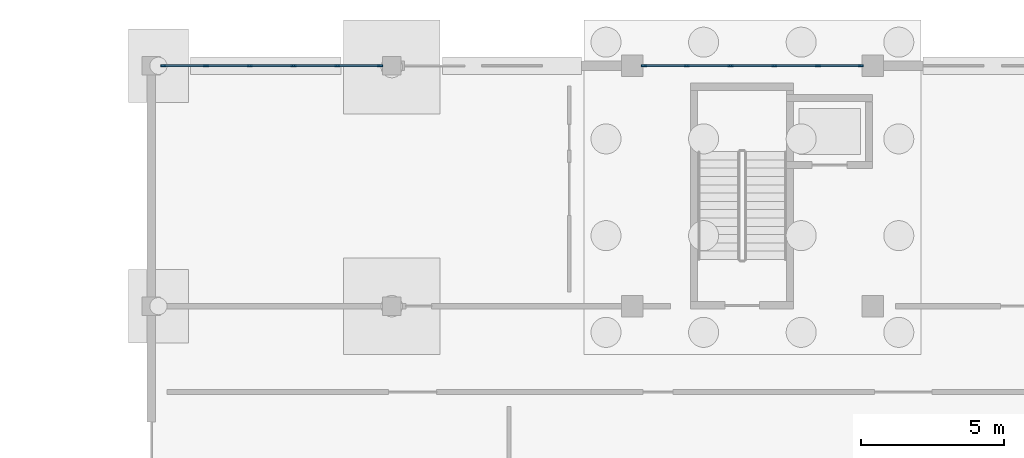
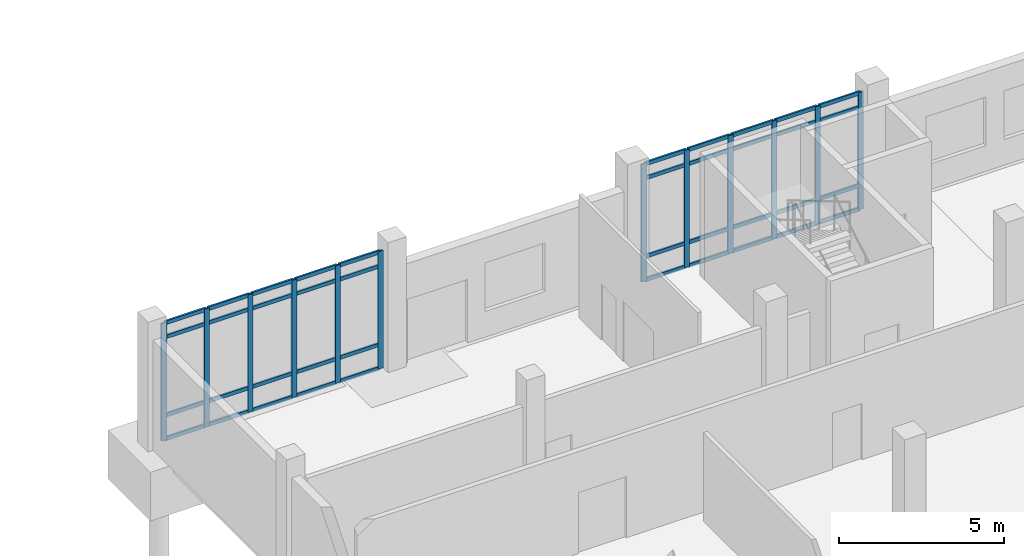
# One storey, part 19 of 72: 52 members, 2 elements without a shape of their own.
"""IFC4 building model written with IfcOpenShell, lengths in metres."""

from ifc_helpers import new_model, si_unit, direction, frame, origin, origin_2d, place, context, subcontext, project, spatial, rectangle, extrude, material, material_profile, profile_set, type_object, element, aggregate, save


model = new_model("IFC4")

# Units and contexts
model_context = context("Model", 3, precision=1e-05, world=origin(), true_north=direction((0.0, 1.0)))
body_context = subcontext(model_context, "Body", "Model", "MODEL_VIEW")
ifc_project = project(units=[si_unit("LENGTHUNIT", "METRE"), si_unit("AREAUNIT", "SQUARE_METRE"), si_unit("VOLUMEUNIT", "CUBIC_METRE"), si_unit("PLANEANGLEUNIT", "RADIAN"), si_unit("MASSUNIT", "GRAM", prefix="KILO")], contexts=[model_context])

# Site, building, storey
site_placement = place(None, origin())
site = spatial("IfcSite", under=ifc_project, at=site_placement, CompositionType="ELEMENT")
building_placement = place(site_placement, origin())
building = spatial("IfcBuilding", under=site, at=building_placement, Name="Cinderway Yard Community Centre", CompositionType="ELEMENT")
storey_placement = place(building_placement, origin())
storey = spatial("IfcBuildingStorey", under=building, at=storey_placement, Name="L00", CompositionType="ELEMENT", Elevation=0.0)

# Curtain wall, members
ifc_material = material(Name="Aluminium 6063-T6", Category="aluminium")
curtain_wall_type = type_object("IfcCurtainWallType", Name="ENV-CW-TYPE-24", PredefinedType="USERDEFINED", material=ifc_material)
curtain_wall_1_placement = place(storey_placement, origin())
curtain_wall_1 = element("IfcCurtainWall", 1, at=curtain_wall_1_placement, inside=storey, type_object=curtain_wall_type, Name="V4 Street Curtain Wall ENV-CW-L00-HS-0108", ObjectType="GLAZED CURTAIN WALL", PredefinedType="USERDEFINED")
ifc_material_profile_1 = material_profile(ifc_material, rectangle(XDim=0.06494140625, YDim=0.179931640625, at=origin_2d()), Name="Aluminium 6063-T6")
ifc_profile_set_1 = profile_set([ifc_material_profile_1], Name="Aluminium 6063-T6")
member_type_1 = type_object("IfcMemberType", Name="ENV-CW-MULL-180", PredefinedType="MULLION", material=ifc_profile_set_1)
member_1_placement = place(storey_placement, frame((42.010009765625, 115.199951171875, 0.0), z_axis=(0.0, 0.0, 1.0), x_axis=(0.0, 1.0, 0.0)))
member_1 = element("IfcMember", 2, at=member_1_placement, type_object=member_type_1, Name="CW-24 mullion 1", PredefinedType="MULLION", context=body_context, shape_type="SweptSolid", body=[
    extrude(rectangle(XDim=0.06494140625, YDim=0.179931640625, at=origin_2d()), origin(), (0.0, 0.0, 1.0), 4.35009765625),
])
member_2_placement = place(storey_placement, frame((43.508056640625, 115.199951171875, 0.0), z_axis=(0.0, 0.0, 1.0), x_axis=(0.0, 1.0, 0.0)))
member_2 = element("IfcMember", 3, at=member_2_placement, type_object=member_type_1, Name="CW-24 mullion 2", PredefinedType="MULLION", context=body_context, shape_type="SweptSolid", body=[
    extrude(rectangle(XDim=0.06494140625, YDim=0.179931640625, at=origin_2d()), origin(), (0.0, 0.0, 1.0), 4.35009765625),
])
member_3_placement = place(storey_placement, frame((45.035888671875, 115.199951171875, 0.0), z_axis=(0.0, 0.0, 1.0), x_axis=(0.0, 1.0, 0.0)))
member_3 = element("IfcMember", 4, at=member_3_placement, type_object=member_type_1, Name="CW-24 mullion 3", PredefinedType="MULLION", context=body_context, shape_type="SweptSolid", body=[
    extrude(rectangle(XDim=0.06494140625, YDim=0.179931640625, at=origin_2d()), origin(), (0.0, 0.0, 1.0), 4.35009765625),
])
member_4_placement = place(storey_placement, frame((46.56396484375, 115.199951171875, 0.0), z_axis=(0.0, 0.0, 1.0), x_axis=(0.0, 1.0, 0.0)))
member_4 = element("IfcMember", 5, at=member_4_placement, type_object=member_type_1, Name="CW-24 mullion 4", PredefinedType="MULLION", context=body_context, shape_type="SweptSolid", body=[
    extrude(rectangle(XDim=0.06494140625, YDim=0.179931640625, at=origin_2d()), origin(), (0.0, 0.0, 1.0), 4.35009765625),
])
member_5_placement = place(storey_placement, frame((48.092041015625, 115.199951171875, 0.0), z_axis=(0.0, 0.0, 1.0), x_axis=(0.0, 1.0, 0.0)))
member_5 = element("IfcMember", 6, at=member_5_placement, type_object=member_type_1, Name="CW-24 mullion 5", PredefinedType="MULLION", context=body_context, shape_type="SweptSolid", body=[
    extrude(rectangle(XDim=0.06494140625, YDim=0.179931640625, at=origin_2d()), origin(), (0.0, 0.0, 1.0), 4.35009765625),
])
member_6_placement = place(storey_placement, frame((49.590087890625, 115.199951171875, 0.0), z_axis=(0.0, 0.0, 1.0), x_axis=(0.0, 1.0, 0.0)))
member_6 = element("IfcMember", 7, at=member_6_placement, type_object=member_type_1, Name="CW-24 mullion 6", PredefinedType="MULLION", context=body_context, shape_type="SweptSolid", body=[
    extrude(rectangle(XDim=0.06494140625, YDim=0.179931640625, at=origin_2d()), origin(), (0.0, 0.0, 1.0), 4.35009765625),
])

curtain_wall_2_placement = place(storey_placement, origin())
curtain_wall_2 = element("IfcCurtainWall", 8, at=curtain_wall_2_placement, inside=storey, type_object=curtain_wall_type, Name="V4 Street Curtain Wall ENV-CW-L00-HS-0111", ObjectType="GLAZED CURTAIN WALL", PredefinedType="USERDEFINED")
member_7_placement = place(storey_placement, frame((58.81005859375, 115.199951171875, 0.0), z_axis=(0.0, 0.0, 1.0), x_axis=(0.0, 1.0, 0.0)))
member_7 = element("IfcMember", 9, at=member_7_placement, type_object=member_type_1, Name="CW-24 mullion 1", PredefinedType="MULLION", context=body_context, shape_type="SweptSolid", body=[
    extrude(rectangle(XDim=0.06494140625, YDim=0.179931640625, at=origin_2d()), origin(), (0.0, 0.0, 1.0), 4.35009765625),
])
member_8_placement = place(storey_placement, frame((60.30810546875, 115.199951171875, 0.0), z_axis=(0.0, 0.0, 1.0), x_axis=(0.0, 1.0, 0.0)))
member_8 = element("IfcMember", 10, at=member_8_placement, type_object=member_type_1, Name="CW-24 mullion 2", PredefinedType="MULLION", context=body_context, shape_type="SweptSolid", body=[
    extrude(rectangle(XDim=0.06494140625, YDim=0.179931640625, at=origin_2d()), origin(), (0.0, 0.0, 1.0), 4.35009765625),
])
member_9_placement = place(storey_placement, frame((61.8359375, 115.199951171875, 0.0), z_axis=(0.0, 0.0, 1.0), x_axis=(0.0, 1.0, 0.0)))
member_9 = element("IfcMember", 11, at=member_9_placement, type_object=member_type_1, Name="CW-24 mullion 3", PredefinedType="MULLION", context=body_context, shape_type="SweptSolid", body=[
    extrude(rectangle(XDim=0.06494140625, YDim=0.179931640625, at=origin_2d()), origin(), (0.0, 0.0, 1.0), 4.35009765625),
])
member_10_placement = place(storey_placement, frame((63.364013671875, 115.199951171875, 0.0), z_axis=(0.0, 0.0, 1.0), x_axis=(0.0, 1.0, 0.0)))
member_10 = element("IfcMember", 12, at=member_10_placement, type_object=member_type_1, Name="CW-24 mullion 4", PredefinedType="MULLION", context=body_context, shape_type="SweptSolid", body=[
    extrude(rectangle(XDim=0.06494140625, YDim=0.179931640625, at=origin_2d()), origin(), (0.0, 0.0, 1.0), 4.35009765625),
])
member_11_placement = place(storey_placement, frame((64.89208984375, 115.199951171875, 0.0), z_axis=(0.0, 0.0, 1.0), x_axis=(0.0, 1.0, 0.0)))
member_11 = element("IfcMember", 13, at=member_11_placement, type_object=member_type_1, Name="CW-24 mullion 5", PredefinedType="MULLION", context=body_context, shape_type="SweptSolid", body=[
    extrude(rectangle(XDim=0.06494140625, YDim=0.179931640625, at=origin_2d()), origin(), (0.0, 0.0, 1.0), 4.35009765625),
])
member_12_placement = place(storey_placement, frame((66.389892578125, 115.199951171875, 0.0), z_axis=(0.0, 0.0, 1.0), x_axis=(0.0, 1.0, 0.0)))
member_12 = element("IfcMember", 14, at=member_12_placement, type_object=member_type_1, Name="CW-24 mullion 6", PredefinedType="MULLION", context=body_context, shape_type="SweptSolid", body=[
    extrude(rectangle(XDim=0.06494140625, YDim=0.179931640625, at=origin_2d()), origin(), (0.0, 0.0, 1.0), 4.35009765625),
])

# Member
ifc_material_profile_2 = material_profile(ifc_material, rectangle(XDim=0.06494140625, YDim=0.139892578125, at=origin_2d()), Name="Aluminium 6063-T6")
ifc_profile_set_2 = profile_set([ifc_material_profile_2], Name="Aluminium 6063-T6")
member_type_2 = type_object("IfcMemberType", Name="ENV-CW-TRAN-140", PredefinedType="USERDEFINED", material=ifc_profile_set_2)
member_13_placement = place(storey_placement, frame((42.0400390625, 115.199951171875, 0.030029296875), z_axis=(1.0, 0.0, 0.0), x_axis=(0.0, 1.0, 0.0)))
member_13 = element("IfcMember", 15, at=member_13_placement, type_object=member_type_2, Name="CW-24 transom 1.1", ObjectType="TRANSOM", PredefinedType="USERDEFINED", context=body_context, shape_type="SweptSolid", body=[
    extrude(rectangle(XDim=0.06494140625, YDim=0.139892578125, at=origin_2d()), origin(), (0.0, 0.0, 1.0), 1.43798828125),
])

member_14_placement = place(storey_placement, frame((42.0400390625, 115.199951171875, 0.89990234375), z_axis=(1.0, 0.0, 0.0), x_axis=(0.0, 1.0, 0.0)))
member_14 = element("IfcMember", 16, at=member_14_placement, type_object=member_type_2, Name="CW-24 transom 1.2", ObjectType="TRANSOM", PredefinedType="USERDEFINED", context=body_context, shape_type="SweptSolid", body=[
    extrude(rectangle(XDim=0.06494140625, YDim=0.139892578125, at=origin_2d()), origin(), (0.0, 0.0, 1.0), 1.43798828125),
])

member_15_placement = place(storey_placement, frame((42.0400390625, 115.199951171875, 3.800048828125), z_axis=(1.0, 0.0, 0.0), x_axis=(0.0, 1.0, 0.0)))
member_15 = element("IfcMember", 17, at=member_15_placement, type_object=member_type_2, Name="CW-24 transom 1.3", ObjectType="TRANSOM", PredefinedType="USERDEFINED", context=body_context, shape_type="SweptSolid", body=[
    extrude(rectangle(XDim=0.06494140625, YDim=0.139892578125, at=origin_2d()), origin(), (0.0, 0.0, 1.0), 1.43798828125),
])

member_16_placement = place(storey_placement, frame((42.0400390625, 115.199951171875, 4.320068359375), z_axis=(1.0, 0.0, 0.0), x_axis=(0.0, 1.0, 0.0)))
member_16 = element("IfcMember", 18, at=member_16_placement, type_object=member_type_2, Name="CW-24 transom 1.4", ObjectType="TRANSOM", PredefinedType="USERDEFINED", context=body_context, shape_type="SweptSolid", body=[
    extrude(rectangle(XDim=0.06494140625, YDim=0.139892578125, at=origin_2d()), origin(), (0.0, 0.0, 1.0), 1.43798828125),
])

member_17_placement = place(storey_placement, frame((43.5380859375, 115.199951171875, 0.030029296875), z_axis=(1.0, 0.0, 0.0), x_axis=(0.0, 1.0, 0.0)))
member_17 = element("IfcMember", 19, at=member_17_placement, type_object=member_type_2, Name="CW-24 transom 2.1", ObjectType="TRANSOM", PredefinedType="USERDEFINED", context=body_context, shape_type="SweptSolid", body=[
    extrude(rectangle(XDim=0.06494140625, YDim=0.139892578125, at=origin_2d()), origin(), (0.0, 0.0, 1.0), 1.468017578125),
])

member_18_placement = place(storey_placement, frame((43.5380859375, 115.199951171875, 0.89990234375), z_axis=(1.0, 0.0, 0.0), x_axis=(0.0, 1.0, 0.0)))
member_18 = element("IfcMember", 20, at=member_18_placement, type_object=member_type_2, Name="CW-24 transom 2.2", ObjectType="TRANSOM", PredefinedType="USERDEFINED", context=body_context, shape_type="SweptSolid", body=[
    extrude(rectangle(XDim=0.06494140625, YDim=0.139892578125, at=origin_2d()), origin(), (0.0, 0.0, 1.0), 1.468017578125),
])

member_19_placement = place(storey_placement, frame((43.5380859375, 115.199951171875, 3.800048828125), z_axis=(1.0, 0.0, 0.0), x_axis=(0.0, 1.0, 0.0)))
member_19 = element("IfcMember", 21, at=member_19_placement, type_object=member_type_2, Name="CW-24 transom 2.3", ObjectType="TRANSOM", PredefinedType="USERDEFINED", context=body_context, shape_type="SweptSolid", body=[
    extrude(rectangle(XDim=0.06494140625, YDim=0.139892578125, at=origin_2d()), origin(), (0.0, 0.0, 1.0), 1.468017578125),
])

member_20_placement = place(storey_placement, frame((43.5380859375, 115.199951171875, 4.320068359375), z_axis=(1.0, 0.0, 0.0), x_axis=(0.0, 1.0, 0.0)))
member_20 = element("IfcMember", 22, at=member_20_placement, type_object=member_type_2, Name="CW-24 transom 2.4", ObjectType="TRANSOM", PredefinedType="USERDEFINED", context=body_context, shape_type="SweptSolid", body=[
    extrude(rectangle(XDim=0.06494140625, YDim=0.139892578125, at=origin_2d()), origin(), (0.0, 0.0, 1.0), 1.468017578125),
])

member_21_placement = place(storey_placement, frame((45.06591796875, 115.199951171875, 0.030029296875), z_axis=(1.0, 0.0, 0.0), x_axis=(0.0, 1.0, 0.0)))
member_21 = element("IfcMember", 23, at=member_21_placement, type_object=member_type_2, Name="CW-24 transom 3.1", ObjectType="TRANSOM", PredefinedType="USERDEFINED", context=body_context, shape_type="SweptSolid", body=[
    extrude(rectangle(XDim=0.06494140625, YDim=0.139892578125, at=origin_2d()), origin(), (0.0, 0.0, 1.0), 1.468017578125),
])

member_22_placement = place(storey_placement, frame((45.06591796875, 115.199951171875, 0.89990234375), z_axis=(1.0, 0.0, 0.0), x_axis=(0.0, 1.0, 0.0)))
member_22 = element("IfcMember", 24, at=member_22_placement, type_object=member_type_2, Name="CW-24 transom 3.2", ObjectType="TRANSOM", PredefinedType="USERDEFINED", context=body_context, shape_type="SweptSolid", body=[
    extrude(rectangle(XDim=0.06494140625, YDim=0.139892578125, at=origin_2d()), origin(), (0.0, 0.0, 1.0), 1.468017578125),
])

member_23_placement = place(storey_placement, frame((45.06591796875, 115.199951171875, 3.800048828125), z_axis=(1.0, 0.0, 0.0), x_axis=(0.0, 1.0, 0.0)))
member_23 = element("IfcMember", 25, at=member_23_placement, type_object=member_type_2, Name="CW-24 transom 3.3", ObjectType="TRANSOM", PredefinedType="USERDEFINED", context=body_context, shape_type="SweptSolid", body=[
    extrude(rectangle(XDim=0.06494140625, YDim=0.139892578125, at=origin_2d()), origin(), (0.0, 0.0, 1.0), 1.468017578125),
])

member_24_placement = place(storey_placement, frame((45.06591796875, 115.199951171875, 4.320068359375), z_axis=(1.0, 0.0, 0.0), x_axis=(0.0, 1.0, 0.0)))
member_24 = element("IfcMember", 26, at=member_24_placement, type_object=member_type_2, Name="CW-24 transom 3.4", ObjectType="TRANSOM", PredefinedType="USERDEFINED", context=body_context, shape_type="SweptSolid", body=[
    extrude(rectangle(XDim=0.06494140625, YDim=0.139892578125, at=origin_2d()), origin(), (0.0, 0.0, 1.0), 1.468017578125),
])

member_25_placement = place(storey_placement, frame((46.593994140625, 115.199951171875, 0.030029296875), z_axis=(1.0, 0.0, 0.0), x_axis=(0.0, 1.0, 0.0)))
member_25 = element("IfcMember", 27, at=member_25_placement, type_object=member_type_2, Name="CW-24 transom 4.1", ObjectType="TRANSOM", PredefinedType="USERDEFINED", context=body_context, shape_type="SweptSolid", body=[
    extrude(rectangle(XDim=0.06494140625, YDim=0.139892578125, at=origin_2d()), origin(), (0.0, 0.0, 1.0), 1.468017578125),
])

member_26_placement = place(storey_placement, frame((46.593994140625, 115.199951171875, 0.89990234375), z_axis=(1.0, 0.0, 0.0), x_axis=(0.0, 1.0, 0.0)))
member_26 = element("IfcMember", 28, at=member_26_placement, type_object=member_type_2, Name="CW-24 transom 4.2", ObjectType="TRANSOM", PredefinedType="USERDEFINED", context=body_context, shape_type="SweptSolid", body=[
    extrude(rectangle(XDim=0.06494140625, YDim=0.139892578125, at=origin_2d()), origin(), (0.0, 0.0, 1.0), 1.468017578125),
])

member_27_placement = place(storey_placement, frame((46.593994140625, 115.199951171875, 3.800048828125), z_axis=(1.0, 0.0, 0.0), x_axis=(0.0, 1.0, 0.0)))
member_27 = element("IfcMember", 29, at=member_27_placement, type_object=member_type_2, Name="CW-24 transom 4.3", ObjectType="TRANSOM", PredefinedType="USERDEFINED", context=body_context, shape_type="SweptSolid", body=[
    extrude(rectangle(XDim=0.06494140625, YDim=0.139892578125, at=origin_2d()), origin(), (0.0, 0.0, 1.0), 1.468017578125),
])

member_28_placement = place(storey_placement, frame((46.593994140625, 115.199951171875, 4.320068359375), z_axis=(1.0, 0.0, 0.0), x_axis=(0.0, 1.0, 0.0)))
member_28 = element("IfcMember", 30, at=member_28_placement, type_object=member_type_2, Name="CW-24 transom 4.4", ObjectType="TRANSOM", PredefinedType="USERDEFINED", context=body_context, shape_type="SweptSolid", body=[
    extrude(rectangle(XDim=0.06494140625, YDim=0.139892578125, at=origin_2d()), origin(), (0.0, 0.0, 1.0), 1.468017578125),
])

member_29_placement = place(storey_placement, frame((48.1220703125, 115.199951171875, 0.030029296875), z_axis=(1.0, 0.0, 0.0), x_axis=(0.0, 1.0, 0.0)))
member_29 = element("IfcMember", 31, at=member_29_placement, type_object=member_type_2, Name="CW-24 transom 5.1", ObjectType="TRANSOM", PredefinedType="USERDEFINED", context=body_context, shape_type="SweptSolid", body=[
    extrude(rectangle(XDim=0.06494140625, YDim=0.139892578125, at=origin_2d()), origin(), (0.0, 0.0, 1.0), 1.43798828125),
])

member_30_placement = place(storey_placement, frame((48.1220703125, 115.199951171875, 0.89990234375), z_axis=(1.0, 0.0, 0.0), x_axis=(0.0, 1.0, 0.0)))
member_30 = element("IfcMember", 32, at=member_30_placement, type_object=member_type_2, Name="CW-24 transom 5.2", ObjectType="TRANSOM", PredefinedType="USERDEFINED", context=body_context, shape_type="SweptSolid", body=[
    extrude(rectangle(XDim=0.06494140625, YDim=0.139892578125, at=origin_2d()), origin(), (0.0, 0.0, 1.0), 1.43798828125),
])

member_31_placement = place(storey_placement, frame((48.1220703125, 115.199951171875, 3.800048828125), z_axis=(1.0, 0.0, 0.0), x_axis=(0.0, 1.0, 0.0)))
member_31 = element("IfcMember", 33, at=member_31_placement, type_object=member_type_2, Name="CW-24 transom 5.3", ObjectType="TRANSOM", PredefinedType="USERDEFINED", context=body_context, shape_type="SweptSolid", body=[
    extrude(rectangle(XDim=0.06494140625, YDim=0.139892578125, at=origin_2d()), origin(), (0.0, 0.0, 1.0), 1.43798828125),
])

member_32_placement = place(storey_placement, frame((48.1220703125, 115.199951171875, 4.320068359375), z_axis=(1.0, 0.0, 0.0), x_axis=(0.0, 1.0, 0.0)))
member_32 = element("IfcMember", 34, at=member_32_placement, type_object=member_type_2, Name="CW-24 transom 5.4", ObjectType="TRANSOM", PredefinedType="USERDEFINED", context=body_context, shape_type="SweptSolid", body=[
    extrude(rectangle(XDim=0.06494140625, YDim=0.139892578125, at=origin_2d()), origin(), (0.0, 0.0, 1.0), 1.43798828125),
])

aggregate(curtain_wall_1, [member_1, member_2, member_3, member_4, member_5, member_6, member_13, member_14, member_15, member_16, member_17, member_18, member_19, member_20, member_21, member_22, member_23, member_24, member_25, member_26, member_27, member_28, member_29, member_30, member_31, member_32])

member_33_placement = place(storey_placement, frame((58.840087890625, 115.199951171875, 0.030029296875), z_axis=(1.0, 0.0, 0.0), x_axis=(0.0, 1.0, 0.0)))
member_33 = element("IfcMember", 35, at=member_33_placement, type_object=member_type_2, Name="CW-24 transom 1.1", ObjectType="TRANSOM", PredefinedType="USERDEFINED", context=body_context, shape_type="SweptSolid", body=[
    extrude(rectangle(XDim=0.06494140625, YDim=0.139892578125, at=origin_2d()), origin(), (0.0, 0.0, 1.0), 1.43798828125),
])

member_34_placement = place(storey_placement, frame((58.840087890625, 115.199951171875, 0.89990234375), z_axis=(1.0, 0.0, 0.0), x_axis=(0.0, 1.0, 0.0)))
member_34 = element("IfcMember", 36, at=member_34_placement, type_object=member_type_2, Name="CW-24 transom 1.2", ObjectType="TRANSOM", PredefinedType="USERDEFINED", context=body_context, shape_type="SweptSolid", body=[
    extrude(rectangle(XDim=0.06494140625, YDim=0.139892578125, at=origin_2d()), origin(), (0.0, 0.0, 1.0), 1.43798828125),
])

member_35_placement = place(storey_placement, frame((58.840087890625, 115.199951171875, 3.800048828125), z_axis=(1.0, 0.0, 0.0), x_axis=(0.0, 1.0, 0.0)))
member_35 = element("IfcMember", 37, at=member_35_placement, type_object=member_type_2, Name="CW-24 transom 1.3", ObjectType="TRANSOM", PredefinedType="USERDEFINED", context=body_context, shape_type="SweptSolid", body=[
    extrude(rectangle(XDim=0.06494140625, YDim=0.139892578125, at=origin_2d()), origin(), (0.0, 0.0, 1.0), 1.43798828125),
])

member_36_placement = place(storey_placement, frame((58.840087890625, 115.199951171875, 4.320068359375), z_axis=(1.0, 0.0, 0.0), x_axis=(0.0, 1.0, 0.0)))
member_36 = element("IfcMember", 38, at=member_36_placement, type_object=member_type_2, Name="CW-24 transom 1.4", ObjectType="TRANSOM", PredefinedType="USERDEFINED", context=body_context, shape_type="SweptSolid", body=[
    extrude(rectangle(XDim=0.06494140625, YDim=0.139892578125, at=origin_2d()), origin(), (0.0, 0.0, 1.0), 1.43798828125),
])

member_37_placement = place(storey_placement, frame((60.337890625, 115.199951171875, 0.030029296875), z_axis=(1.0, 0.0, 0.0), x_axis=(0.0, 1.0, 0.0)))
member_37 = element("IfcMember", 39, at=member_37_placement, type_object=member_type_2, Name="CW-24 transom 2.1", ObjectType="TRANSOM", PredefinedType="USERDEFINED", context=body_context, shape_type="SweptSolid", body=[
    extrude(rectangle(XDim=0.06494140625, YDim=0.139892578125, at=origin_2d()), origin(), (0.0, 0.0, 1.0), 1.468017578125),
])

member_38_placement = place(storey_placement, frame((60.337890625, 115.199951171875, 0.89990234375), z_axis=(1.0, 0.0, 0.0), x_axis=(0.0, 1.0, 0.0)))
member_38 = element("IfcMember", 40, at=member_38_placement, type_object=member_type_2, Name="CW-24 transom 2.2", ObjectType="TRANSOM", PredefinedType="USERDEFINED", context=body_context, shape_type="SweptSolid", body=[
    extrude(rectangle(XDim=0.06494140625, YDim=0.139892578125, at=origin_2d()), origin(), (0.0, 0.0, 1.0), 1.468017578125),
])

member_39_placement = place(storey_placement, frame((60.337890625, 115.199951171875, 3.800048828125), z_axis=(1.0, 0.0, 0.0), x_axis=(0.0, 1.0, 0.0)))
member_39 = element("IfcMember", 41, at=member_39_placement, type_object=member_type_2, Name="CW-24 transom 2.3", ObjectType="TRANSOM", PredefinedType="USERDEFINED", context=body_context, shape_type="SweptSolid", body=[
    extrude(rectangle(XDim=0.06494140625, YDim=0.139892578125, at=origin_2d()), origin(), (0.0, 0.0, 1.0), 1.468017578125),
])

member_40_placement = place(storey_placement, frame((60.337890625, 115.199951171875, 4.320068359375), z_axis=(1.0, 0.0, 0.0), x_axis=(0.0, 1.0, 0.0)))
member_40 = element("IfcMember", 42, at=member_40_placement, type_object=member_type_2, Name="CW-24 transom 2.4", ObjectType="TRANSOM", PredefinedType="USERDEFINED", context=body_context, shape_type="SweptSolid", body=[
    extrude(rectangle(XDim=0.06494140625, YDim=0.139892578125, at=origin_2d()), origin(), (0.0, 0.0, 1.0), 1.468017578125),
])

member_41_placement = place(storey_placement, frame((61.865966796875, 115.199951171875, 0.030029296875), z_axis=(1.0, 0.0, 0.0), x_axis=(0.0, 1.0, 0.0)))
member_41 = element("IfcMember", 43, at=member_41_placement, type_object=member_type_2, Name="CW-24 transom 3.1", ObjectType="TRANSOM", PredefinedType="USERDEFINED", context=body_context, shape_type="SweptSolid", body=[
    extrude(rectangle(XDim=0.06494140625, YDim=0.139892578125, at=origin_2d()), origin(), (0.0, 0.0, 1.0), 1.468017578125),
])

member_42_placement = place(storey_placement, frame((61.865966796875, 115.199951171875, 0.89990234375), z_axis=(1.0, 0.0, 0.0), x_axis=(0.0, 1.0, 0.0)))
member_42 = element("IfcMember", 44, at=member_42_placement, type_object=member_type_2, Name="CW-24 transom 3.2", ObjectType="TRANSOM", PredefinedType="USERDEFINED", context=body_context, shape_type="SweptSolid", body=[
    extrude(rectangle(XDim=0.06494140625, YDim=0.139892578125, at=origin_2d()), origin(), (0.0, 0.0, 1.0), 1.468017578125),
])

member_43_placement = place(storey_placement, frame((61.865966796875, 115.199951171875, 3.800048828125), z_axis=(1.0, 0.0, 0.0), x_axis=(0.0, 1.0, 0.0)))
member_43 = element("IfcMember", 45, at=member_43_placement, type_object=member_type_2, Name="CW-24 transom 3.3", ObjectType="TRANSOM", PredefinedType="USERDEFINED", context=body_context, shape_type="SweptSolid", body=[
    extrude(rectangle(XDim=0.06494140625, YDim=0.139892578125, at=origin_2d()), origin(), (0.0, 0.0, 1.0), 1.468017578125),
])

member_44_placement = place(storey_placement, frame((61.865966796875, 115.199951171875, 4.320068359375), z_axis=(1.0, 0.0, 0.0), x_axis=(0.0, 1.0, 0.0)))
member_44 = element("IfcMember", 46, at=member_44_placement, type_object=member_type_2, Name="CW-24 transom 3.4", ObjectType="TRANSOM", PredefinedType="USERDEFINED", context=body_context, shape_type="SweptSolid", body=[
    extrude(rectangle(XDim=0.06494140625, YDim=0.139892578125, at=origin_2d()), origin(), (0.0, 0.0, 1.0), 1.468017578125),
])

member_45_placement = place(storey_placement, frame((63.39404296875, 115.199951171875, 0.030029296875), z_axis=(1.0, 0.0, 0.0), x_axis=(0.0, 1.0, 0.0)))
member_45 = element("IfcMember", 47, at=member_45_placement, type_object=member_type_2, Name="CW-24 transom 4.1", ObjectType="TRANSOM", PredefinedType="USERDEFINED", context=body_context, shape_type="SweptSolid", body=[
    extrude(rectangle(XDim=0.06494140625, YDim=0.139892578125, at=origin_2d()), origin(), (0.0, 0.0, 1.0), 1.468017578125),
])

member_46_placement = place(storey_placement, frame((63.39404296875, 115.199951171875, 0.89990234375), z_axis=(1.0, 0.0, 0.0), x_axis=(0.0, 1.0, 0.0)))
member_46 = element("IfcMember", 48, at=member_46_placement, type_object=member_type_2, Name="CW-24 transom 4.2", ObjectType="TRANSOM", PredefinedType="USERDEFINED", context=body_context, shape_type="SweptSolid", body=[
    extrude(rectangle(XDim=0.06494140625, YDim=0.139892578125, at=origin_2d()), origin(), (0.0, 0.0, 1.0), 1.468017578125),
])

member_47_placement = place(storey_placement, frame((63.39404296875, 115.199951171875, 3.800048828125), z_axis=(1.0, 0.0, 0.0), x_axis=(0.0, 1.0, 0.0)))
member_47 = element("IfcMember", 49, at=member_47_placement, type_object=member_type_2, Name="CW-24 transom 4.3", ObjectType="TRANSOM", PredefinedType="USERDEFINED", context=body_context, shape_type="SweptSolid", body=[
    extrude(rectangle(XDim=0.06494140625, YDim=0.139892578125, at=origin_2d()), origin(), (0.0, 0.0, 1.0), 1.468017578125),
])

member_48_placement = place(storey_placement, frame((63.39404296875, 115.199951171875, 4.320068359375), z_axis=(1.0, 0.0, 0.0), x_axis=(0.0, 1.0, 0.0)))
member_48 = element("IfcMember", 50, at=member_48_placement, type_object=member_type_2, Name="CW-24 transom 4.4", ObjectType="TRANSOM", PredefinedType="USERDEFINED", context=body_context, shape_type="SweptSolid", body=[
    extrude(rectangle(XDim=0.06494140625, YDim=0.139892578125, at=origin_2d()), origin(), (0.0, 0.0, 1.0), 1.468017578125),
])

member_49_placement = place(storey_placement, frame((64.922119140625, 115.199951171875, 0.030029296875), z_axis=(1.0, 0.0, 0.0), x_axis=(0.0, 1.0, 0.0)))
member_49 = element("IfcMember", 51, at=member_49_placement, type_object=member_type_2, Name="CW-24 transom 5.1", ObjectType="TRANSOM", PredefinedType="USERDEFINED", context=body_context, shape_type="SweptSolid", body=[
    extrude(rectangle(XDim=0.06494140625, YDim=0.139892578125, at=origin_2d()), origin(), (0.0, 0.0, 1.0), 1.43798828125),
])

member_50_placement = place(storey_placement, frame((64.922119140625, 115.199951171875, 0.89990234375), z_axis=(1.0, 0.0, 0.0), x_axis=(0.0, 1.0, 0.0)))
member_50 = element("IfcMember", 52, at=member_50_placement, type_object=member_type_2, Name="CW-24 transom 5.2", ObjectType="TRANSOM", PredefinedType="USERDEFINED", context=body_context, shape_type="SweptSolid", body=[
    extrude(rectangle(XDim=0.06494140625, YDim=0.139892578125, at=origin_2d()), origin(), (0.0, 0.0, 1.0), 1.43798828125),
])

member_51_placement = place(storey_placement, frame((64.922119140625, 115.199951171875, 3.800048828125), z_axis=(1.0, 0.0, 0.0), x_axis=(0.0, 1.0, 0.0)))
member_51 = element("IfcMember", 53, at=member_51_placement, type_object=member_type_2, Name="CW-24 transom 5.3", ObjectType="TRANSOM", PredefinedType="USERDEFINED", context=body_context, shape_type="SweptSolid", body=[
    extrude(rectangle(XDim=0.06494140625, YDim=0.139892578125, at=origin_2d()), origin(), (0.0, 0.0, 1.0), 1.43798828125),
])

member_52_placement = place(storey_placement, frame((64.922119140625, 115.199951171875, 4.320068359375), z_axis=(1.0, 0.0, 0.0), x_axis=(0.0, 1.0, 0.0)))
member_52 = element("IfcMember", 54, at=member_52_placement, type_object=member_type_2, Name="CW-24 transom 5.4", ObjectType="TRANSOM", PredefinedType="USERDEFINED", context=body_context, shape_type="SweptSolid", body=[
    extrude(rectangle(XDim=0.06494140625, YDim=0.139892578125, at=origin_2d()), origin(), (0.0, 0.0, 1.0), 1.43798828125),
])

aggregate(curtain_wall_2, [member_7, member_8, member_9, member_10, member_11, member_12, member_33, member_34, member_35, member_36, member_37, member_38, member_39, member_40, member_41, member_42, member_43, member_44, member_45, member_46, member_47, member_48, member_49, member_50, member_51, member_52])

save(model, "model.ifc")
